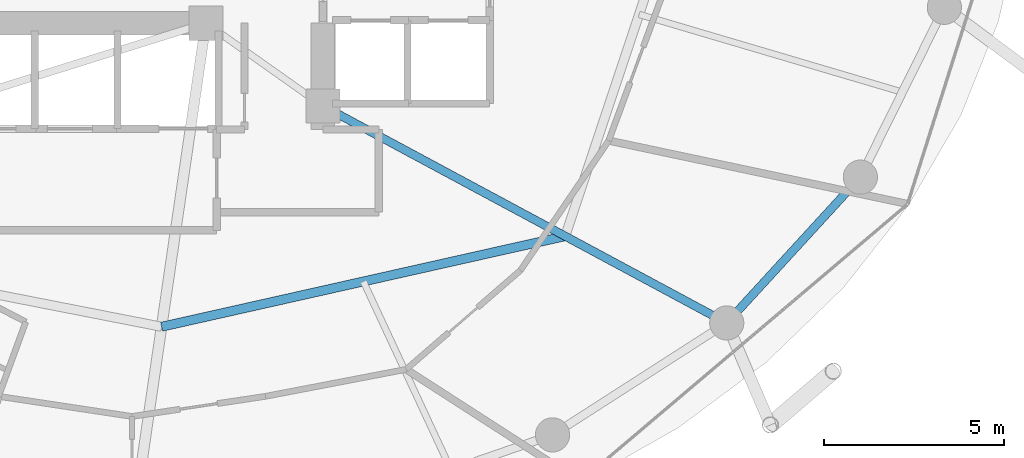
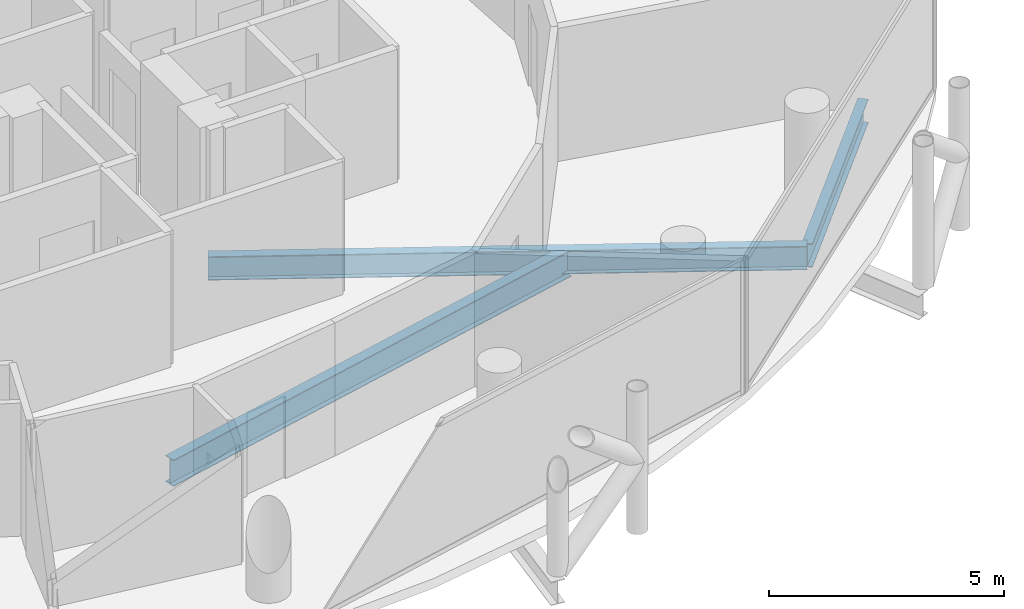
# One storey, part 9 of 26: 3 beams.
"""IFC4 building model written with IfcOpenShell, lengths in metres."""

from ifc_helpers import new_model, si_unit, direction, frame, origin, origin_2d, place, context, subcontext, project, spatial, i_section, extrude, material, material_profile, profile_set, type_object, element, save


model = new_model("IFC4")

# Units and contexts
model_context = context("Model", 3, precision=1e-05, world=origin(), true_north=direction((0.0, 1.0)))
body_context = subcontext(model_context, "Body", "Model", "MODEL_VIEW")
ifc_project = project(units=[si_unit("LENGTHUNIT", "METRE"), si_unit("AREAUNIT", "SQUARE_METRE"), si_unit("VOLUMEUNIT", "CUBIC_METRE"), si_unit("PLANEANGLEUNIT", "RADIAN"), si_unit("MASSUNIT", "GRAM", prefix="KILO")], contexts=[model_context])

# Site, building, storey
site_placement = place(None, origin())
site = spatial("IfcSite", under=ifc_project, at=site_placement, CompositionType="ELEMENT")
building_placement = place(site_placement, origin())
building = spatial("IfcBuilding", under=site, at=building_placement, Name="Nuhasar Tower", CompositionType="ELEMENT")
storey_placement = place(building_placement, frame((0.0, 0.0, 177.449951171875)))
storey = spatial("IfcBuildingStorey", under=building, at=storey_placement, Name="L43", CompositionType="ELEMENT", Elevation=177.449951171875)

# Beams
ifc_material = material(Name="Steel S355", Category="steel")
ifc_material_profile_1 = material_profile(ifc_material, i_section(OverallWidth=0.25390625, OverallDepth=0.68408203125, WebThickness=0.012451171875, FlangeThickness=0.018798828125, at=origin_2d()), Name="W27X94")
ifc_profile_set_1 = profile_set([ifc_material_profile_1], Name="Steel S355")
beam_type_1 = type_object("IfcBeamType", Name="BM-INRING-W27X94", PredefinedType="BEAM", material=ifc_profile_set_1)
beam_1_placement = place(storey_placement, frame((39.820068359375, 12.8701171875, -0.592041015625), z_axis=(0.975716159385, 0.219038755282, 0.0), x_axis=(-0.219038755282, 0.975716159385, 0.0)))
element("IfcBeam", 1, at=beam_1_placement, inside=storey, type_object=beam_type_1, Name="L43 Inner Header Beam 02", PredefinedType="BEAM", context=body_context, shape_type="SweptSolid", body=[
    extrude(i_section(OverallWidth=0.25390625, OverallDepth=0.68408203125, WebThickness=0.012451171875, FlangeThickness=0.018798828125, at=origin_2d()), origin(), (0.0, 0.0, 1.0), 11.48583984375),
])
ifc_material_profile_2 = material_profile(ifc_material, i_section(OverallWidth=0.22900390625, OverallDepth=0.612060546875, WebThickness=0.011962890625, FlangeThickness=0.01953125, at=origin_2d()), Name="W24X84")
ifc_profile_set_2 = profile_set([ifc_material_profile_2], Name="Steel S355")
beam_type_2 = type_object("IfcBeamType", Name="BM-RAD-W24X84", PredefinedType="BEAM", material=ifc_profile_set_2)
beam_2_placement = place(storey_placement, frame((44.300048828125, 19.0, -0.555908203125), z_axis=(0.880888386928, -0.473324043098, 0.0), x_axis=(0.473324043098, 0.880888386928, 0.0)))
element("IfcBeam", 2, at=beam_2_placement, inside=storey, type_object=beam_type_2, Name="L43 Radial Floor Girder 03", PredefinedType="BEAM", context=body_context, shape_type="SweptSolid", body=[
    extrude(i_section(OverallWidth=0.22900390625, OverallDepth=0.612060546875, WebThickness=0.011962890625, FlangeThickness=0.01953125, at=origin_2d()), origin(), (0.0, 0.0, 1.0), 12.726806640625),
])
ifc_material_profile_3 = material_profile(ifc_material, i_section(OverallWidth=0.22998046875, OverallDepth=0.616943359375, WebThickness=0.01318359375, FlangeThickness=0.022216796875, at=origin_2d()), Name="W24X94")
ifc_profile_set_3 = profile_set([ifc_material_profile_3], Name="Steel S355")
beam_type_3 = type_object("IfcBeamType", Name="BM-RING-W24X94", PredefinedType="SPANDREL", material=ifc_profile_set_3)
beam_3_placement = place(storey_placement, frame((55.510986328125, 12.97607421875, -0.558837890625), z_axis=(0.675676316545, 0.737198423262, 0.0), x_axis=(-0.737198423262, 0.675676316545, 0.0)))
element("IfcBeam", 3, at=beam_3_placement, inside=storey, type_object=beam_type_3, Name="L43 Perimeter Ring Spandrel 22", PredefinedType="SPANDREL", context=body_context, shape_type="SweptSolid", body=[
    extrude(i_section(OverallWidth=0.22998046875, OverallDepth=0.616943359375, WebThickness=0.01318359375, FlangeThickness=0.022216796875, at=origin_2d()), origin(), (0.0, 0.0, 1.0), 5.4921875),
])

save(model, "model.ifc")
